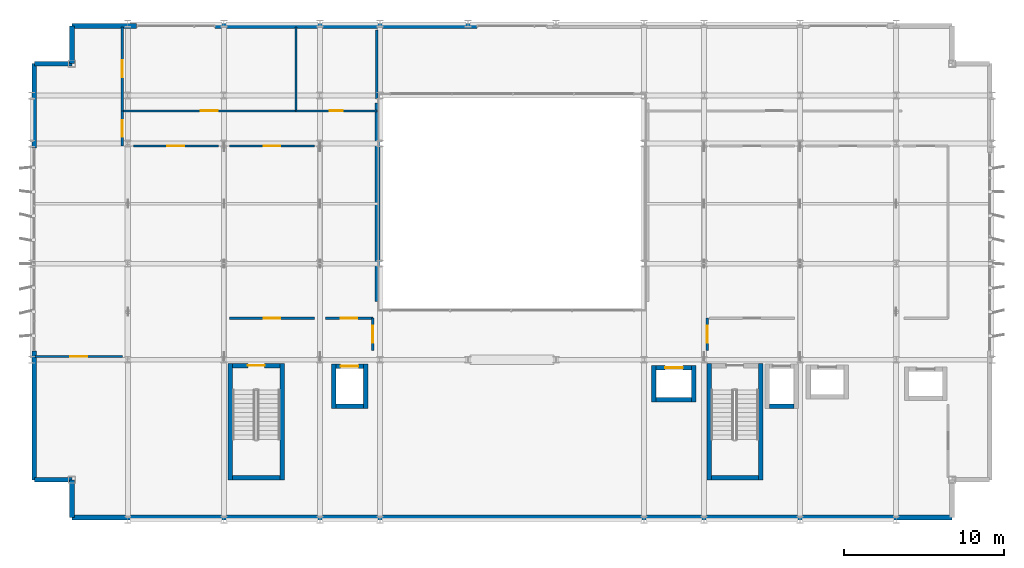
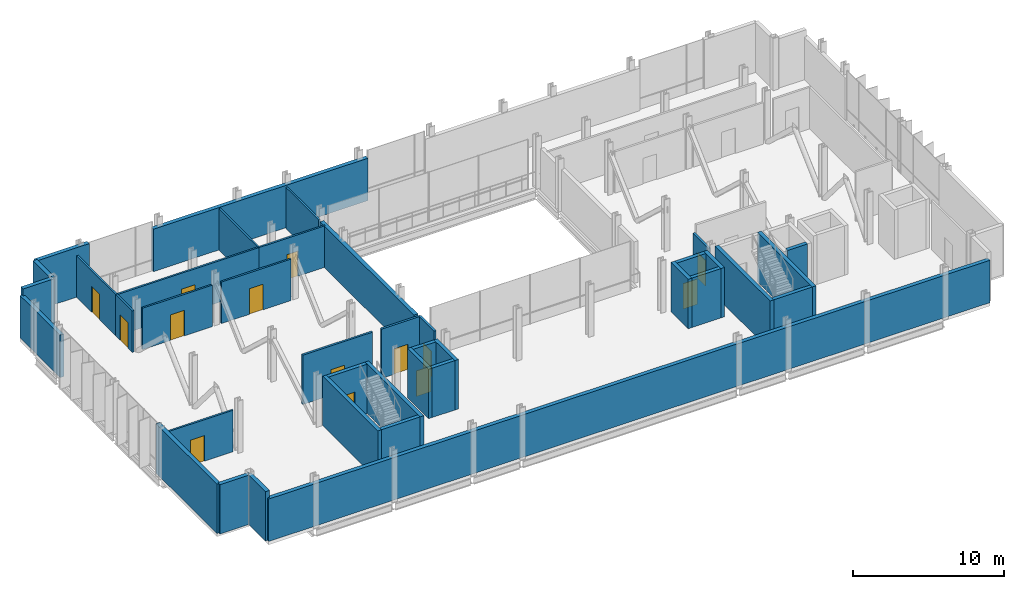
# One storey, part 26 of 32: 39 walls, 14 doors, 14 openings.
"""IFC4 building model written with IfcOpenShell, lengths in metres."""

import ifcopenshell
import ifcopenshell.guid

model = None  # the IFC model being written
_history = None  # IfcOwnerHistory: only IFC2X3 demands one
_inside = {}  # id of a spatial element -> (the spatial element, [elements in it])
_under = {}  # id of a project, library or spatial element -> (it, [spatial elements below it])
_declared = {}  # id of a project -> (the project, [libraries it declares])
_typed = {}  # id of a type object -> (the type object, [elements of that type])
_made_of = {}  # id of a material, layer set ... -> (it, [elements and type objects made of it])


def new_model(schema):
    """Start an empty IFC model of exactly this schema.

    Asked for "IFC4X3", IfcOpenShell would pick the latest addendum, in which some entities
    have other attributes; the version numbers below select the first issue.
    IFC2X3 requires an IfcOwnerHistory on every rooted entity: one is made here for all.
    """
    global model, _history
    if schema == "IFC4X3":
        model = ifcopenshell.file(schema_version=(4, 3, 0, 0))
    else:
        model = ifcopenshell.file(schema=schema)
    _inside.clear()
    _under.clear()
    _declared.clear()
    _typed.clear()
    _made_of.clear()
    _history = None
    if model.schema == "IFC2X3":
        org = make("IfcOrganization", Name="unknown")
        user = make(
            "IfcPersonAndOrganization",
            ThePerson=make("IfcPerson", FamilyName="unknown"),
            TheOrganization=org,
        )
        app = make(
            "IfcApplication",
            ApplicationDeveloper=org,
            Version="unknown",
            ApplicationFullName="unknown",
            ApplicationIdentifier="unknown",
        )
        _history = make(
            "IfcOwnerHistory",
            OwningUser=user,
            OwningApplication=app,
            ChangeAction="ADDED",
            CreationDate=0,
        )
    return model


def make(cls, **values):
    """One entity of the class cls with the attributes given. An attribute that is None is left unset."""
    return model.create_entity(
        cls, **{name: value for name, value in values.items() if value is not None}
    )


def rooted(cls, **values):
    """An entity with a GlobalId (a new one), such as an element, a storey or a relation."""
    return make(cls, GlobalId=ifcopenshell.guid.new(), OwnerHistory=_history, **values)


def si_unit(unit_type, name, prefix=None):
    """IfcSIUnit, for example si_unit("LENGTHUNIT", "METRE", prefix="MILLI")."""
    return make("IfcSIUnit", UnitType=unit_type, Prefix=prefix, Name=name)


def assignment(units):
    """IfcUnitAssignment: the units of a project."""
    return None if units is None else make("IfcUnitAssignment", Units=units)


def point(xyz):
    """IfcCartesianPoint."""
    return None if xyz is None else make("IfcCartesianPoint", Coordinates=xyz)


def direction(xyz):
    """IfcDirection."""
    return None if xyz is None else make("IfcDirection", DirectionRatios=xyz)


def frame(location, z_axis=None, x_axis=None):
    """IfcAxis2Placement3D, a coordinate frame: its origin and axes. An axis left out is left unset."""
    return make(
        "IfcAxis2Placement3D",
        Location=point(location),
        Axis=direction(z_axis),
        RefDirection=direction(x_axis),
    )


def frame_2d(location, x_axis=None):
    """IfcAxis2Placement2D, a coordinate frame in the plane: its origin and x axis."""
    return make(
        "IfcAxis2Placement2D", Location=point(location), RefDirection=direction(x_axis)
    )


def origin():
    """The frame at (0, 0, 0) with its axes left unset."""
    return frame((0.0, 0.0, 0.0))


def place(relative_to, where):
    """IfcLocalPlacement: puts the frame where relative to a parent placement (None: the world)."""
    return make(
        "IfcLocalPlacement", PlacementRelTo=relative_to, RelativePlacement=where
    )


def context(
    kind, dimensions, precision=None, world=None, true_north=None, identifier=None
):
    """IfcGeometricRepresentationContext, for example the 3D "Model" context."""
    return make(
        "IfcGeometricRepresentationContext",
        ContextIdentifier=identifier,
        ContextType=kind,
        CoordinateSpaceDimension=dimensions,
        Precision=precision,
        WorldCoordinateSystem=world,
        TrueNorth=true_north,
    )


def subcontext(parent, identifier, kind, view, scale=None):
    """IfcGeometricRepresentationSubContext, for example "Body" below "Model"."""
    return make(
        "IfcGeometricRepresentationSubContext",
        ContextIdentifier=identifier,
        ContextType=kind,
        ParentContext=parent,
        TargetScale=scale,
        TargetView=view,
    )


def project(units=None, contexts=None):
    """IfcProject with its units and contexts."""
    return rooted(
        "IfcProject",
        Name="project",
        RepresentationContexts=contexts,
        UnitsInContext=assignment(units),
    )


def spatial(cls, under=None, at=None, **own):
    """A site, building, storey or space (cls), placed at a placement, below another one or the project."""
    s = rooted(cls, ObjectPlacement=at, **own)
    if under is not None:
        _under.setdefault(under.id(), (under, []))[1].append(s)
    return s


def profile(cls, at=None, kind="AREA", **sizes):
    """A parametric profile (cls). Its sizes go by their IFC names, for example OverallWidth=200.0."""
    return make(cls, ProfileType=kind, Position=at, **sizes)


def rectangle(**sizes):
    """IfcRectangleProfileDef."""
    return profile("IfcRectangleProfileDef", **sizes)


def extrude(swept, where, along, depth):
    """IfcExtrudedAreaSolid: the profile swept, set in the frame where, extruded along a direction by depth."""
    return make(
        "IfcExtrudedAreaSolid",
        SweptArea=swept,
        Position=where,
        ExtrudedDirection=direction(along),
        Depth=depth,
    )


def shape(context_of_items, identifier, shape_type, items):
    """IfcShapeRepresentation: the items that make up one representation, for example the "Body"."""
    return make(
        "IfcShapeRepresentation",
        ContextOfItems=context_of_items,
        RepresentationIdentifier=identifier,
        RepresentationType=shape_type,
        Items=items,
    )


def material(Name=None, Category=None):
    """IfcMaterial."""
    return make("IfcMaterial", Name=Name, Category=Category)


def layer(
    of_material, thickness, ventilated=None, Name=None, Category=None, Priority=None
):
    """IfcMaterialLayer: one layer of a wall or slab, of a material (None: an air gap)."""
    return make(
        "IfcMaterialLayer",
        Material=of_material,
        LayerThickness=thickness,
        IsVentilated=ventilated,
        Name=Name,
        Category=Category,
        Priority=Priority,
    )


def layer_set(layers, Name=None):
    """IfcMaterialLayerSet."""
    return make("IfcMaterialLayerSet", MaterialLayers=layers, LayerSetName=Name)


def made_of(thing, what):
    """Note that an element or type object is made of a material, layer set ...; save() writes the relation."""
    if what is not None:
        _made_of.setdefault(what.id(), (what, []))[1].append(thing)
    return thing


def type_object(cls, material=None, **own):
    """A type object (cls), such as IfcWallType, which elements share."""
    return made_of(rooted(cls, **own), material)


def element(
    cls,
    number,
    at=None,
    inside=None,
    cuts=None,
    type_object=None,
    material=None,
    context=None,
    identifier="Body",
    shape_type=None,
    held_by="IfcProductDefinitionShape",
    body=None,
    shapes=None,
    **own,
):
    """One element of the class cls, such as IfcWall. Its Tag is "e" and its number.

    at: its placement. inside: the storey or other place that contains it. cuts: it is an
    opening in that element (IfcRelVoidsElement). A single representation is given by context,
    identifier, shape_type and body (its items); several are given by shapes. held_by: the class
    of the entity that holds the representations. save() writes the other relations.
    """
    e = rooted(cls, Tag="e%d" % number, ObjectPlacement=at, **own)
    if body is not None:
        shapes = [shape(context, identifier, shape_type, body)]
    if shapes is not None:
        e.Representation = make(held_by, Representations=shapes)
    if inside is not None:
        _inside.setdefault(inside.id(), (inside, []))[1].append(e)
    if cuts is not None:
        rooted(
            "IfcRelVoidsElement", RelatingBuildingElement=cuts, RelatedOpeningElement=e
        )
    if type_object is not None:
        _typed.setdefault(type_object.id(), (type_object, []))[1].append(e)
    return made_of(e, material)


def fill(opening, filler):
    """IfcRelFillsElement: the door or window that sits in an opening."""
    return rooted(
        "IfcRelFillsElement",
        RelatingOpeningElement=opening,
        RelatedBuildingElement=filler,
    )


def aggregate(whole, parts):
    """IfcRelAggregates: a whole, such as a stair, and the parts it consists of."""
    return rooted("IfcRelAggregates", RelatingObject=whole, RelatedObjects=parts)


def save(model, path):
    """Write the relations noted so far, then the file.

    IfcRelAggregates (storeys below a building ...), IfcRelContainedInSpatialStructure (elements
    in a storey), IfcRelDefinesByType, IfcRelAssociatesMaterial and IfcRelDeclares: one each for
    every whole, place, type object, material and project.
    """
    for whole, parts in _under.values():
        aggregate(whole, parts)
    for where, things in _inside.values():
        rooted(
            "IfcRelContainedInSpatialStructure",
            RelatedElements=things,
            RelatingStructure=where,
        )
    for kind, things in _typed.values():
        rooted("IfcRelDefinesByType", RelatedObjects=things, RelatingType=kind)
    for what, things in _made_of.values():
        rooted("IfcRelAssociatesMaterial", RelatedObjects=things, RelatingMaterial=what)
    for by, libraries in _declared.values():
        rooted("IfcRelDeclares", RelatingContext=by, RelatedDefinitions=libraries)
    model.write(path)


model = new_model("IFC4")

# Units and contexts
model_context = context("Model", 3, precision=1e-05, world=origin(), true_north=direction((0.0, 1.0)))
body_context = subcontext(model_context, "Body", "Model", "MODEL_VIEW")
ifc_project = project(units=[si_unit("LENGTHUNIT", "METRE"), si_unit("AREAUNIT", "SQUARE_METRE"), si_unit("VOLUMEUNIT", "CUBIC_METRE"), si_unit("PLANEANGLEUNIT", "RADIAN"), si_unit("MASSUNIT", "GRAM", prefix="KILO")], contexts=[model_context])

# Site, building, storey
site_placement = place(None, origin())
site = spatial("IfcSite", under=ifc_project, at=site_placement, CompositionType="ELEMENT")
building_placement = place(site_placement, origin())
building = spatial("IfcBuilding", under=site, at=building_placement, Name="Brevholm Reach", CompositionType="ELEMENT")
storey_placement = place(building_placement, frame((0.0, 0.0, 96.199951171875)))
storey = spatial("IfcBuildingStorey", under=building, at=storey_placement, Name="L28", CompositionType="ELEMENT", Elevation=96.199951171875)

# Walls
ifc_material_1 = material(Name="Concrete C50/60", Category="concrete")
ifc_layer_1 = layer(ifc_material_1, 0.280029296875)
ifc_layer_set_1 = layer_set([ifc_layer_1], Name="Concrete C50/60")
wall_type_1 = type_object("IfcWallType", Name="WAL-COR-280", PredefinedType="SHEAR", material=ifc_layer_set_1)
for number, where, z_axis, x_axis, name in (
    (1, (12.409912109375, 2.5, 0.0), (0.0, 0.0, 1.0), (0.0, 1.0, 0.0), "L28 Escape Stair ST-1 Core Wall W"),
    (2, (15.639892578125, 2.5, 0.0), (0.0, 0.0, 1.0), (0.0, 1.0, 0.0), "L28 Escape Stair ST-1 Core Wall E"),
):
    element("IfcWall", number, at=place(storey_placement, frame(where, z_axis=z_axis, x_axis=x_axis)), inside=storey, type_object=wall_type_1, Name=name, PredefinedType="SHEAR", context=body_context, shape_type="SweptSolid", body=[
        extrude(rectangle(XDim=7.280029296875, YDim=0.280029296875, at=frame_2d((3.64013671875, 0.0))), origin(), (0.0, 0.0, 1.0), 3.97998046875),
    ])
wall_1_placement = place(storey_placement, frame((12.550048828125, 2.639892578125, 0.0), z_axis=(0.0, 0.0, 1.0), x_axis=(1.0, 0.0, 0.0)))
element("IfcWall", 3, at=wall_1_placement, inside=storey, type_object=wall_type_1, Name="L28 Escape Stair ST-1 Core Wall S", PredefinedType="SHEAR", context=body_context, shape_type="SweptSolid", body=[
    extrude(rectangle(XDim=2.949951171875, YDim=0.280029296875, at=frame_2d((1.47509765625, 0.0))), origin(), (0.0, 0.0, 1.0), 3.97998046875),
])

# Wall, opening, door
wall_2_placement = place(storey_placement, frame((15.5, 9.639892578125, 0.0), z_axis=(0.0, 0.0, 1.0), x_axis=(-1.0, 0.0, 0.0)))
wall_2 = element("IfcWall", 4, at=wall_2_placement, inside=storey, type_object=wall_type_1, Name="L28 Escape Stair ST-1 Core Wall N", PredefinedType="SHEAR", context=body_context, shape_type="SweptSolid", body=[
    extrude(rectangle(XDim=2.949951171875, YDim=0.280029296875, at=frame_2d((1.47509765625, 0.0))), origin(), (0.0, 0.0, 1.0), 3.97998046875),
])
opening_1_placement = place(wall_2_placement, frame((0.949951171875, 0.0, 0.0)))
opening_1 = element("IfcOpeningElement", 5, at=opening_1_placement, cuts=wall_2, Name="Opening SD-ST-1", PredefinedType="OPENING", context=body_context, shape_type="SweptSolid", body=[
    extrude(rectangle(XDim=1.050048828125, YDim=2.06005859375, at=frame_2d((0.52490234375, 1.030029296875))), frame((0.0, 0.14990234375, 0.0), z_axis=(0.0, -1.0, 0.0), x_axis=(1.0, 0.0, 0.0)), (0.0, 0.0, 1.0), 0.300048828125),
])
ifc_material_2 = material(Name="Hardwood-Lipped Steel-Core Fire and Smoke Door", Category="steel")
door_type_1 = type_object("IfcDoorType", Name="DOR-INT-FD60S", OperationType="NOTDEFINED", PredefinedType="DOOR", material=ifc_material_2)
door_1_placement = place(opening_1_placement, origin())
door_1 = element("IfcDoor", 6, at=door_1_placement, inside=storey, type_object=door_type_1, Name="L28 Protected Stair ST-1 Lobby Door", OperationType="SINGLE_SWING_RIGHT", OverallHeight=2.06005859375, OverallWidth=1.050048828125, PredefinedType="DOOR", context=body_context, shape_type="SweptSolid", body=[
    extrude(rectangle(XDim=1.050048828125, YDim=2.06005859375, at=frame_2d((0.52490234375, 1.030029296875))), frame((0.0, 0.02490234375, 0.0), z_axis=(0.0, -1.0, 0.0), x_axis=(1.0, 0.0, 0.0)), (0.0, 0.0, 1.0), 0.050048828125),
])
fill(opening_1, door_1)

# Walls
for number, where, z_axis, x_axis, name in (
    (7, (42.31005859375, 2.5, 0.0), (0.0, 0.0, 1.0), (0.0, 1.0, 0.0), "L28 Escape Stair ST-2 Core Wall W"),
    (8, (45.5400390625, 2.5, 0.0), (0.0, 0.0, 1.0), (0.0, 1.0, 0.0), "L28 Escape Stair ST-2 Core Wall E"),
):
    element("IfcWall", number, at=place(storey_placement, frame(where, z_axis=z_axis, x_axis=x_axis)), inside=storey, type_object=wall_type_1, Name=name, PredefinedType="SHEAR", context=body_context, shape_type="SweptSolid", body=[
        extrude(rectangle(XDim=7.280029296875, YDim=0.280029296875, at=frame_2d((3.64013671875, 0.0))), origin(), (0.0, 0.0, 1.0), 3.97998046875),
    ])
wall_3_placement = place(storey_placement, frame((42.449951171875, 2.639892578125, 0.0), z_axis=(0.0, 0.0, 1.0), x_axis=(1.0, 0.0, 0.0)))
element("IfcWall", 9, at=wall_3_placement, inside=storey, type_object=wall_type_1, Name="L28 Escape Stair ST-2 Core Wall S", PredefinedType="SHEAR", context=body_context, shape_type="SweptSolid", body=[
    extrude(rectangle(XDim=2.949951171875, YDim=0.280029296875, at=frame_2d((1.47509765625, 0.0))), origin(), (0.0, 0.0, 1.0), 3.97998046875),
])
for number, where, z_axis, x_axis, name in (
    (10, (18.85009765625, 6.9599609375, 0.0), (0.0, 0.0, 1.0), (0.0, 1.0, 0.0), "L28 Lift FFL-1 Shaft Wall W"),
    (11, (20.85009765625, 6.9599609375, 0.0), (0.0, 0.0, 1.0), (0.0, 1.0, 0.0), "L28 Lift FFL-1 Shaft Wall E"),
):
    element("IfcWall", number, at=place(storey_placement, frame(where, z_axis=z_axis, x_axis=x_axis)), inside=storey, type_object=wall_type_1, Name=name, PredefinedType="SHEAR", context=body_context, shape_type="SweptSolid", body=[
        extrude(rectangle(XDim=2.780029296875, YDim=0.280029296875, at=frame_2d((1.39013671875, 0.0))), origin(), (0.0, 0.0, 1.0), 3.97998046875),
    ])
wall_4_placement = place(storey_placement, frame((18.989990234375, 7.10009765625, 0.0), z_axis=(0.0, 0.0, 1.0), x_axis=(1.0, 0.0, 0.0)))
element("IfcWall", 12, at=wall_4_placement, inside=storey, type_object=wall_type_1, Name="L28 Lift FFL-1 Shaft Wall S", PredefinedType="SHEAR", context=body_context, shape_type="SweptSolid", body=[
    extrude(rectangle(XDim=1.719970703125, YDim=0.280029296875, at=frame_2d((0.85986328125, 0.0))), origin(), (0.0, 0.0, 1.0), 3.97998046875),
])

# Wall, opening, door
wall_5_placement = place(storey_placement, frame((18.989990234375, 9.60009765625, 0.0), z_axis=(0.0, 0.0, 1.0), x_axis=(1.0, 0.0, 0.0)))
wall_5 = element("IfcWall", 13, at=wall_5_placement, inside=storey, type_object=wall_type_1, Name="L28 Lift FFL-1 Shaft Wall N", PredefinedType="SHEAR", context=body_context, shape_type="SweptSolid", body=[
    extrude(rectangle(XDim=1.719970703125, YDim=0.280029296875, at=frame_2d((0.85986328125, 0.0))), origin(), (0.0, 0.0, 1.0), 3.97998046875),
])
opening_2_placement = place(wall_5_placement, frame((0.31005859375, 0.0, 0.0)))
opening_2 = element("IfcOpeningElement", 14, at=opening_2_placement, cuts=wall_5, Name="Opening LD-FFL-1", PredefinedType="OPENING", context=body_context, shape_type="SweptSolid", body=[
    extrude(rectangle(XDim=1.10009765625, YDim=2.06005859375, at=frame_2d((0.550048828125, 1.030029296875))), frame((0.0, 0.14990234375, 0.0), z_axis=(0.0, -1.0, 0.0), x_axis=(1.0, 0.0, 0.0)), (0.0, 0.0, 1.0), 0.300048828125),
])
ifc_material_3 = material(Name="Brushed Stainless Steel Fire-Rated Sliding Lift Door", Category="steel")
door_type_2 = type_object("IfcDoorType", Name="DOR-LFT-1100", OperationType="NOTDEFINED", PredefinedType="DOOR", material=ifc_material_3)
door_2_placement = place(opening_2_placement, origin())
door_2 = element("IfcDoor", 15, at=door_2_placement, inside=storey, type_object=door_type_2, Name="L28 Lift FFL-1 Sliding Landing Door", OperationType="SLIDING_TO_RIGHT", OverallHeight=2.06005859375, OverallWidth=1.10009765625, PredefinedType="DOOR", context=body_context, shape_type="SweptSolid", body=[
    extrude(rectangle(XDim=1.10009765625, YDim=2.06005859375, at=frame_2d((0.550048828125, 1.030029296875))), frame((0.0, 0.02490234375, 0.0), z_axis=(0.0, -1.0, 0.0), x_axis=(1.0, 0.0, 0.0)), (0.0, 0.0, 1.0), 0.050048828125),
])
fill(opening_2, door_2)

# Walls
wall_6_placement = place(storey_placement, frame((46.090087890625, 7.10009765625, 0.0), z_axis=(0.0, 0.0, 1.0), x_axis=(1.0, 0.0, 0.0)))
element("IfcWall", 16, at=wall_6_placement, inside=storey, type_object=wall_type_1, Name="L28 Lift FFL-2 Shaft Wall S", PredefinedType="SHEAR", context=body_context, shape_type="SweptSolid", body=[
    extrude(rectangle(XDim=1.52001953125, YDim=0.280029296875, at=frame_2d((0.760009765625, 0.0))), origin(), (0.0, 0.0, 1.0), 3.97998046875),
])
for number, where, z_axis, x_axis, name in (
    (17, (38.8701171875, 7.360107421875, 0.0), (0.0, 0.0, 1.0), (0.0, 1.0, 0.0), "L28 Lift PL-S1 Shaft Wall W"),
    (18, (41.3701171875, 7.360107421875, 0.0), (0.0, 0.0, 1.0), (0.0, 1.0, 0.0), "L28 Lift PL-S1 Shaft Wall E"),
):
    element("IfcWall", number, at=place(storey_placement, frame(where, z_axis=z_axis, x_axis=x_axis)), inside=storey, type_object=wall_type_1, Name=name, PredefinedType="SHEAR", context=body_context, shape_type="SweptSolid", body=[
        extrude(rectangle(XDim=2.27978515625, YDim=0.280029296875, at=frame_2d((1.139892578125, 0.0))), origin(), (0.0, 0.0, 1.0), 3.97998046875),
    ])
wall_7_placement = place(storey_placement, frame((39.010009765625, 7.5, 0.0), z_axis=(0.0, 0.0, 1.0), x_axis=(1.0, 0.0, 0.0)))
element("IfcWall", 19, at=wall_7_placement, inside=storey, type_object=wall_type_1, Name="L28 Lift PL-S1 Shaft Wall S", PredefinedType="SHEAR", context=body_context, shape_type="SweptSolid", body=[
    extrude(rectangle(XDim=2.219970703125, YDim=0.280029296875, at=frame_2d((1.10986328125, 0.0))), origin(), (0.0, 0.0, 1.0), 3.97998046875),
])

# Wall, opening, door
wall_8_placement = place(storey_placement, frame((39.010009765625, 9.5, 0.0), z_axis=(0.0, 0.0, 1.0), x_axis=(1.0, 0.0, 0.0)))
wall_8 = element("IfcWall", 20, at=wall_8_placement, inside=storey, type_object=wall_type_1, Name="L28 Lift PL-S1 Shaft Wall N", PredefinedType="SHEAR", context=body_context, shape_type="SweptSolid", body=[
    extrude(rectangle(XDim=2.219970703125, YDim=0.280029296875, at=frame_2d((1.10986328125, 0.0))), origin(), (0.0, 0.0, 1.0), 3.97998046875),
])
opening_3_placement = place(wall_8_placement, frame((0.56005859375, 0.0, 0.0)))
opening_3 = element("IfcOpeningElement", 21, at=opening_3_placement, cuts=wall_8, Name="Opening LD-PL-S1", PredefinedType="OPENING", context=body_context, shape_type="SweptSolid", body=[
    extrude(rectangle(XDim=1.10009765625, YDim=2.06005859375, at=frame_2d((0.550048828125, 1.030029296875))), frame((0.0, 0.14990234375, 0.0), z_axis=(0.0, -1.0, 0.0), x_axis=(1.0, 0.0, 0.0)), (0.0, 0.0, 1.0), 0.300048828125),
])
door_3_placement = place(opening_3_placement, origin())
door_3 = element("IfcDoor", 22, at=door_3_placement, inside=storey, type_object=door_type_2, Name="L28 Lift PL-S1 Sliding Landing Door", OperationType="SLIDING_TO_RIGHT", OverallHeight=2.06005859375, OverallWidth=1.10009765625, PredefinedType="DOOR", context=body_context, shape_type="SweptSolid", body=[
    extrude(rectangle(XDim=1.10009765625, YDim=2.06005859375, at=frame_2d((0.550048828125, 1.030029296875))), frame((0.0, 0.02490234375, 0.0), z_axis=(0.0, -1.0, 0.0), x_axis=(1.0, 0.0, 0.0)), (0.0, 0.0, 1.0), 0.050048828125),
])
fill(opening_3, door_3)

# Walls
ifc_material_4 = material(Name="Concrete C40/50", Category="concrete")
ifc_layer_2 = layer(ifc_material_4, 0.300048828125)
ifc_layer_set_2 = layer_set([ifc_layer_2], Name="Concrete C40/50")
wall_type_2 = type_object("IfcWallType", Name="WAL-EXT-300", PredefinedType="STANDARD", material=ifc_layer_set_2)
for number, where, z_axis, x_axis, name in (
    (23, (2.5, 2.5, 0.0), (0.0, 0.0, 1.0), (0.0, -1.0, 0.0), "L28 Facade Wall WAL-L28-CSW1"),
    (24, (0.14990234375, 2.5, 0.0), (0.0, 0.0, 1.0), (1.0, 0.0, 0.0), "L28 Facade Wall WAL-L28-CSW2"),
    (25, (2.5, 30.85009765625, 0.0), (0.0, 0.0, 1.0), (0.0, -1.0, 0.0), "L28 Facade Wall WAL-L28-CNW1"),
    (26, (2.5, 28.5, 0.0), (0.0, 0.0, 1.0), (-1.0, 0.0, 0.0), "L28 Facade Wall WAL-L28-CNW2"),
):
    element("IfcWall", number, at=place(storey_placement, frame(where, z_axis=z_axis, x_axis=x_axis)), inside=storey, type_object=wall_type_2, Name=name, PredefinedType="STANDARD", context=body_context, shape_type="SweptSolid", body=[
        extrude(rectangle(XDim=2.35009765625, YDim=0.300048828125, at=frame_2d((1.175048828125, 0.0))), origin(), (0.0, 0.0, 1.0), 3.97998046875),
    ])
wall_9_placement = place(storey_placement, frame((2.5, 0.14990234375, 0.0), z_axis=(0.0, 0.0, 1.0), x_axis=(1.0, 0.0, 0.0)))
element("IfcWall", 27, at=wall_9_placement, inside=storey, type_object=wall_type_2, Name="L28 Facade Wall WAL-L28-S", PredefinedType="STANDARD", context=body_context, shape_type="SweptSolid", body=[
    extrude(rectangle(XDim=55.0, YDim=0.300048828125, at=frame_2d((27.5, 0.0))), origin(), (0.0, 0.0, 1.0), 3.421875),
])
wall_10_placement = place(storey_placement, frame((0.14990234375, 10.550048828125, 0.0), z_axis=(0.0, 0.0, 1.0), x_axis=(0.0, -1.0, 0.0)))
element("IfcWall", 28, at=wall_10_placement, inside=storey, type_object=wall_type_2, Name="L28 Facade Wall WAL-L28-W-S", PredefinedType="STANDARD", context=body_context, shape_type="SweptSolid", body=[
    extrude(rectangle(XDim=8.050048828125, YDim=0.300048828125, at=frame_2d((4.02490234375, 0.0))), origin(), (0.0, 0.0, 1.0), 3.97998046875),
])
wall_11_placement = place(storey_placement, frame((0.14990234375, 28.5, 0.0), z_axis=(0.0, 0.0, 1.0), x_axis=(0.0, -1.0, 0.0)))
element("IfcWall", 29, at=wall_11_placement, inside=storey, type_object=wall_type_2, Name="L28 Facade Wall WAL-L28-W-N", PredefinedType="STANDARD", context=body_context, shape_type="SweptSolid", body=[
    extrude(rectangle(XDim=5.280029296875, YDim=0.300048828125, at=frame_2d((2.64013671875, 0.0))), origin(), (0.0, 0.0, 1.0), 3.421875),
])
wall_12_placement = place(storey_placement, frame((2.5, 30.85009765625, 0.0), z_axis=(0.0, 0.0, 1.0), x_axis=(1.0, 0.0, 0.0)))
element("IfcWall", 30, at=wall_12_placement, inside=storey, type_object=wall_type_2, Name="L28 Facade Wall WAL-L28-NP-W0", PredefinedType="STANDARD", context=body_context, shape_type="SweptSolid", body=[
    extrude(rectangle(XDim=4.050048828125, YDim=0.300048828125, at=frame_2d((2.02490234375, 0.0))), origin(), (0.0, 0.0, 1.0), 3.97998046875),
])
wall_13_placement = place(storey_placement, frame((11.449951171875, 30.85009765625, 0.0), z_axis=(0.0, 0.0, 1.0), x_axis=(1.0, 0.0, 0.0)))
element("IfcWall", 31, at=wall_13_placement, inside=storey, type_object=wall_type_2, Name="L28 Facade Wall WAL-L28-NP-WL", PredefinedType="STANDARD", context=body_context, shape_type="SweptSolid", body=[
    extrude(rectangle(XDim=16.35009765625, YDim=0.300048828125, at=frame_2d((8.175048828125, 0.0))), origin(), (0.0, 0.0, 1.0), 3.421875),
])
wall_14_placement = place(storey_placement, frame((21.60009765625, 26.050048828125, 0.0), z_axis=(0.0, 0.0, 1.0), x_axis=(0.0, -1.0, 0.0)))
element("IfcWall", 32, at=wall_14_placement, inside=storey, type_object=wall_type_2, Name="L28 Facade Wall WAL-L28-AT-W", PredefinedType="STANDARD", context=body_context, shape_type="SweptSolid", body=[
    extrude(rectangle(XDim=12.400146484375, YDim=0.300048828125, at=frame_2d((6.2001953125, 0.0))), origin(), (0.0, 0.0, 1.0), 3.3427734375),
])

# Wall, opening, door
ifc_material_5 = material(Name="Twin-Stud Acoustic Fire-Rated Gypsum Partition 140 mm", Category="gypsum")
ifc_layer_3 = layer(ifc_material_5, 0.139892578125)
ifc_layer_set_3 = layer_set([ifc_layer_3], Name="Twin-Stud Acoustic Fire-Rated Gypsum Partition 140 mm")
wall_type_3 = type_object("IfcWallType", Name="WAL-PRT-140", PredefinedType="PARTITIONING", material=ifc_layer_set_3)
wall_15_placement = place(storey_placement, frame((5.64990234375, 25.550048828125, 0.0), z_axis=(0.0, 0.0, 1.0), x_axis=(1.0, 0.0, 0.0)))
wall_15 = element("IfcWall", 33, at=wall_15_placement, inside=storey, type_object=wall_type_3, Name="L28 Internal Partition 006", PredefinedType="PARTITIONING", context=body_context, shape_type="SweptSolid", body=[
    extrude(rectangle(XDim=10.861328125, YDim=0.139892578125, at=frame_2d((5.4306640625, 0.0))), origin(), (0.0, 0.0, 1.0), 3.3427734375),
])
opening_4_placement = place(wall_15_placement, frame((4.905517578125, 0.0, 0.0)))
opening_4 = element("IfcOpeningElement", 34, at=opening_4_placement, cuts=wall_15, Name="Opening FD-01", PredefinedType="OPENING", context=body_context, shape_type="SweptSolid", body=[
    extrude(rectangle(XDim=1.050048828125, YDim=2.06005859375, at=frame_2d((0.52490234375, 1.030029296875))), frame((0.0, 0.079833984375, 0.0), z_axis=(0.0, -1.0, 0.0), x_axis=(1.0, 0.0, 0.0)), (0.0, 0.0, 1.0), 0.159912109375),
])
door_4_placement = place(opening_4_placement, origin())
door_4 = element("IfcDoor", 35, at=door_4_placement, inside=storey, type_object=door_type_1, Name="L28 Internal Door 006", OperationType="SINGLE_SWING_RIGHT", OverallHeight=2.06005859375, OverallWidth=1.050048828125, PredefinedType="DOOR", context=body_context, shape_type="SweptSolid", body=[
    extrude(rectangle(XDim=1.050048828125, YDim=2.06005859375, at=frame_2d((0.52490234375, 1.030029296875))), frame((0.0, 0.02490234375, 0.0), z_axis=(0.0, -1.0, 0.0), x_axis=(1.0, 0.0, 0.0)), (0.0, 0.0, 1.0), 0.050048828125),
])
fill(opening_4, door_4)

wall_16_placement = place(storey_placement, frame((16.49267578125, 25.550048828125, 0.0), z_axis=(0.0, 0.0, 1.0), x_axis=(1.0, 0.0, 0.0)))
wall_16 = element("IfcWall", 36, at=wall_16_placement, inside=storey, type_object=wall_type_3, Name="L28 Internal Partition 007", PredefinedType="PARTITIONING", context=body_context, shape_type="SweptSolid", body=[
    extrude(rectangle(XDim=5.057373046875, YDim=0.139892578125, at=frame_2d((2.52880859375, 0.0))), origin(), (0.0, 0.0, 1.0), 3.3427734375),
])
opening_5_placement = place(wall_16_placement, frame((2.11865234375, 0.0, 0.0)))
opening_5 = element("IfcOpeningElement", 37, at=opening_5_placement, cuts=wall_16, Name="Opening ID-02", PredefinedType="OPENING", context=body_context, shape_type="SweptSolid", body=[
    extrude(rectangle(XDim=0.820068359375, YDim=2.02001953125, at=frame_2d((0.41015625, 1.010009765625))), frame((0.0, 0.079833984375, 0.0), z_axis=(0.0, -1.0, 0.0), x_axis=(1.0, 0.0, 0.0)), (0.0, 0.0, 1.0), 0.159912109375),
])
ifc_material_6 = material(Name="Moisture-Resistant Painted Timber Fire-Rated Riser and Service Door", Category="wood")
door_type_3 = type_object("IfcDoorType", Name="DOR-SRV-820", OperationType="NOTDEFINED", PredefinedType="DOOR", material=ifc_material_6)
door_5_placement = place(opening_5_placement, origin())
door_5 = element("IfcDoor", 38, at=door_5_placement, inside=storey, type_object=door_type_3, Name="L28 Internal Door 007", OperationType="SINGLE_SWING_LEFT", OverallHeight=2.02001953125, OverallWidth=0.820068359375, PredefinedType="DOOR", context=body_context, shape_type="SweptSolid", body=[
    extrude(rectangle(XDim=0.820068359375, YDim=2.02001953125, at=frame_2d((0.41015625, 1.010009765625))), frame((0.0, 0.02490234375, 0.0), z_axis=(0.0, -1.0, 0.0), x_axis=(1.0, 0.0, 0.0)), (0.0, 0.0, 1.0), 0.050048828125),
])
fill(opening_5, door_5)

wall_17_placement = place(storey_placement, frame((5.64990234375, 23.35009765625, 0.0), z_axis=(0.0, 0.0, 1.0), x_axis=(0.0, 1.0, 0.0)))
wall_17 = element("IfcWall", 39, at=wall_17_placement, inside=storey, type_object=wall_type_3, Name="L28 Internal Partition 008", PredefinedType="PARTITIONING", context=body_context, shape_type="SweptSolid", body=[
    extrude(rectangle(XDim=2.199951171875, YDim=0.139892578125, at=frame_2d((1.10009765625, 0.0))), origin(), (0.0, 0.0, 1.0), 3.3427734375),
])
opening_6_placement = place(wall_17_placement, frame((0.574951171875, 0.0, 0.0)))
opening_6 = element("IfcOpeningElement", 40, at=opening_6_placement, cuts=wall_17, Name="Opening FD-01", PredefinedType="OPENING", context=body_context, shape_type="SweptSolid", body=[
    extrude(rectangle(XDim=1.050048828125, YDim=2.06005859375, at=frame_2d((0.52490234375, 1.030029296875))), frame((0.0, 0.079833984375, 0.0), z_axis=(0.0, -1.0, 0.0), x_axis=(1.0, 0.0, 0.0)), (0.0, 0.0, 1.0), 0.159912109375),
])
door_6_placement = place(opening_6_placement, origin())
door_6 = element("IfcDoor", 41, at=door_6_placement, inside=storey, type_object=door_type_1, Name="L28 Internal Door 008", OperationType="SINGLE_SWING_RIGHT", OverallHeight=2.06005859375, OverallWidth=1.050048828125, PredefinedType="DOOR", context=body_context, shape_type="SweptSolid", body=[
    extrude(rectangle(XDim=1.050048828125, YDim=2.06005859375, at=frame_2d((0.52490234375, 1.030029296875))), frame((0.0, 0.02490234375, 0.0), z_axis=(0.0, -1.0, 0.0), x_axis=(1.0, 0.0, 0.0)), (0.0, 0.0, 1.0), 0.050048828125),
])
fill(opening_6, door_6)

wall_18_placement = place(storey_placement, frame((6.338623046875, 23.35009765625, 0.0), z_axis=(0.0, 0.0, 1.0), x_axis=(1.0, 0.0, 0.0)))
wall_18 = element("IfcWall", 42, at=wall_18_placement, inside=storey, type_object=wall_type_3, Name="L28 Internal Partition 009", PredefinedType="PARTITIONING", context=body_context, shape_type="SweptSolid", body=[
    extrude(rectangle(XDim=5.32275390625, YDim=0.139892578125, at=frame_2d((2.661376953125, 0.0))), origin(), (0.0, 0.0, 1.0), 3.3427734375),
])
opening_7_placement = place(wall_18_placement, frame((2.13623046875, 0.0, 0.0)))
opening_7 = element("IfcOpeningElement", 43, at=opening_7_placement, cuts=wall_18, Name="Opening FD-01", PredefinedType="OPENING", context=body_context, shape_type="SweptSolid", body=[
    extrude(rectangle(XDim=1.050048828125, YDim=2.06005859375, at=frame_2d((0.52490234375, 1.030029296875))), frame((0.0, 0.079833984375, 0.0), z_axis=(0.0, -1.0, 0.0), x_axis=(1.0, 0.0, 0.0)), (0.0, 0.0, 1.0), 0.159912109375),
])
door_7_placement = place(opening_7_placement, origin())
door_7 = element("IfcDoor", 44, at=door_7_placement, inside=storey, type_object=door_type_1, Name="L28 Internal Door 009", OperationType="SINGLE_SWING_LEFT", OverallHeight=2.06005859375, OverallWidth=1.050048828125, PredefinedType="DOOR", context=body_context, shape_type="SweptSolid", body=[
    extrude(rectangle(XDim=1.050048828125, YDim=2.06005859375, at=frame_2d((0.52490234375, 1.030029296875))), frame((0.0, 0.02490234375, 0.0), z_axis=(0.0, -1.0, 0.0), x_axis=(1.0, 0.0, 0.0)), (0.0, 0.0, 1.0), 0.050048828125),
])
fill(opening_7, door_7)

wall_19_placement = place(storey_placement, frame((12.338623046875, 23.35009765625, 0.0), z_axis=(0.0, 0.0, 1.0), x_axis=(1.0, 0.0, 0.0)))
wall_19 = element("IfcWall", 45, at=wall_19_placement, inside=storey, type_object=wall_type_3, Name="L28 Internal Partition 010", PredefinedType="PARTITIONING", context=body_context, shape_type="SweptSolid", body=[
    extrude(rectangle(XDim=5.32275390625, YDim=0.139892578125, at=frame_2d((2.661376953125, 0.0))), origin(), (0.0, 0.0, 1.0), 3.3427734375),
])
opening_8_placement = place(wall_19_placement, frame((2.13623046875, 0.0, 0.0)))
opening_8 = element("IfcOpeningElement", 46, at=opening_8_placement, cuts=wall_19, Name="Opening FD-01", PredefinedType="OPENING", context=body_context, shape_type="SweptSolid", body=[
    extrude(rectangle(XDim=1.050048828125, YDim=2.06005859375, at=frame_2d((0.52490234375, 1.030029296875))), frame((0.0, 0.079833984375, 0.0), z_axis=(0.0, -1.0, 0.0), x_axis=(1.0, 0.0, 0.0)), (0.0, 0.0, 1.0), 0.159912109375),
])
door_8_placement = place(opening_8_placement, origin())
door_8 = element("IfcDoor", 47, at=door_8_placement, inside=storey, type_object=door_type_1, Name="L28 Internal Door 010", OperationType="SINGLE_SWING_RIGHT", OverallHeight=2.06005859375, OverallWidth=1.050048828125, PredefinedType="DOOR", context=body_context, shape_type="SweptSolid", body=[
    extrude(rectangle(XDim=1.050048828125, YDim=2.06005859375, at=frame_2d((0.52490234375, 1.030029296875))), frame((0.0, 0.02490234375, 0.0), z_axis=(0.0, -1.0, 0.0), x_axis=(1.0, 0.0, 0.0)), (0.0, 0.0, 1.0), 0.050048828125),
])
fill(opening_8, door_8)

# Wall
wall_20_placement = place(storey_placement, frame((16.5, 25.553955078125, 0.0), z_axis=(0.0, 0.0, 1.0), x_axis=(0.0, 1.0, 0.0)))
element("IfcWall", 48, at=wall_20_placement, inside=storey, type_object=wall_type_3, Name="L28 Internal Partition 018", PredefinedType="PARTITIONING", context=body_context, shape_type="SweptSolid", body=[
    extrude(rectangle(XDim=5.24609375, YDim=0.139892578125, at=frame_2d((2.623046875, 0.0))), origin(), (0.0, 0.0, 1.0), 3.3427734375),
])

# Wall, opening, door
wall_21_placement = place(storey_placement, frame((5.64990234375, 25.553955078125, 0.0), z_axis=(0.0, 0.0, 1.0), x_axis=(0.0, 1.0, 0.0)))
wall_21 = element("IfcWall", 49, at=wall_21_placement, inside=storey, type_object=wall_type_3, Name="L28 Internal Partition 019", PredefinedType="PARTITIONING", context=body_context, shape_type="SweptSolid", body=[
    extrude(rectangle(XDim=5.24609375, YDim=0.139892578125, at=frame_2d((2.623046875, 0.0))), origin(), (0.0, 0.0, 1.0), 3.3427734375),
])
opening_9_placement = place(wall_21_placement, frame((2.097900390625, 0.0, 0.0)))
opening_9 = element("IfcOpeningElement", 50, at=opening_9_placement, cuts=wall_21, Name="Opening FD-01", PredefinedType="OPENING", context=body_context, shape_type="SweptSolid", body=[
    extrude(rectangle(XDim=1.050048828125, YDim=2.06005859375, at=frame_2d((0.52490234375, 1.030029296875))), frame((0.0, 0.079833984375, 0.0), z_axis=(0.0, -1.0, 0.0), x_axis=(1.0, 0.0, 0.0)), (0.0, 0.0, 1.0), 0.159912109375),
])
door_9_placement = place(opening_9_placement, origin())
door_9 = element("IfcDoor", 51, at=door_9_placement, inside=storey, type_object=door_type_1, Name="L28 Internal Door 016", OperationType="SINGLE_SWING_RIGHT", OverallHeight=2.06005859375, OverallWidth=1.050048828125, PredefinedType="DOOR", context=body_context, shape_type="SweptSolid", body=[
    extrude(rectangle(XDim=1.050048828125, YDim=2.06005859375, at=frame_2d((0.52490234375, 1.030029296875))), frame((0.0, 0.02490234375, 0.0), z_axis=(0.0, -1.0, 0.0), x_axis=(1.0, 0.0, 0.0)), (0.0, 0.0, 1.0), 0.050048828125),
])
fill(opening_9, door_9)

wall_22_placement = place(storey_placement, frame((0.199951171875, 10.199951171875, 0.0), z_axis=(0.0, 0.0, 1.0), x_axis=(1.0, 0.0, 0.0)))
wall_22 = element("IfcWall", 52, at=wall_22_placement, inside=storey, type_object=wall_type_3, Name="L28 Internal Partition 020", PredefinedType="PARTITIONING", context=body_context, shape_type="SweptSolid", body=[
    extrude(rectangle(XDim=5.449951171875, YDim=0.139892578125, at=frame_2d((2.72509765625, 0.0))), origin(), (0.0, 0.0, 1.0), 3.3427734375),
])
opening_10_placement = place(wall_22_placement, frame((2.199951171875, 0.0, 0.0)))
opening_10 = element("IfcOpeningElement", 53, at=opening_10_placement, cuts=wall_22, Name="Opening FD-01", PredefinedType="OPENING", context=body_context, shape_type="SweptSolid", body=[
    extrude(rectangle(XDim=1.050048828125, YDim=2.06005859375, at=frame_2d((0.52490234375, 1.030029296875))), frame((0.0, 0.079833984375, 0.0), z_axis=(0.0, -1.0, 0.0), x_axis=(1.0, 0.0, 0.0)), (0.0, 0.0, 1.0), 0.159912109375),
])
door_10_placement = place(opening_10_placement, origin())
door_10 = element("IfcDoor", 54, at=door_10_placement, inside=storey, type_object=door_type_1, Name="L28 Internal Door 017", OperationType="SINGLE_SWING_LEFT", OverallHeight=2.06005859375, OverallWidth=1.050048828125, PredefinedType="DOOR", context=body_context, shape_type="SweptSolid", body=[
    extrude(rectangle(XDim=1.050048828125, YDim=2.06005859375, at=frame_2d((0.52490234375, 1.030029296875))), frame((0.0, 0.02490234375, 0.0), z_axis=(0.0, -1.0, 0.0), x_axis=(1.0, 0.0, 0.0)), (0.0, 0.0, 1.0), 0.050048828125),
])
fill(opening_10, door_10)

# Wall
wall_23_placement = place(storey_placement, frame((21.550048828125, 26.28466796875, 0.0), z_axis=(0.0, 0.0, 1.0), x_axis=(0.0, 1.0, 0.0)))
element("IfcWall", 55, at=wall_23_placement, inside=storey, type_object=wall_type_3, Name="L28 Internal Partition 021", PredefinedType="PARTITIONING", context=body_context, shape_type="SweptSolid", body=[
    extrude(rectangle(XDim=4.325439453125, YDim=0.139892578125, at=frame_2d((2.16259765625, 0.0))), origin(), (0.0, 0.0, 1.0), 3.3427734375),
])

# Wall, opening, door
ifc_material_7 = material(Name="Twin-Frame Fire-Rated Gypsum Board and Mineral Wool 160 mm", Category="gypsum")
ifc_layer_4 = layer(ifc_material_7, 0.159912109375)
ifc_layer_set_4 = layer_set([ifc_layer_4], Name="Twin-Frame Fire-Rated Gypsum Board and Mineral Wool 160 mm")
wall_type_4 = type_object("IfcWallType", Name="WAL-PRT-160", PredefinedType="PARTITIONING", material=ifc_layer_set_4)
wall_24_placement = place(storey_placement, frame((12.338623046875, 12.60009765625, 0.0), z_axis=(0.0, 0.0, 1.0), x_axis=(1.0, 0.0, 0.0)))
wall_24 = element("IfcWall", 56, at=wall_24_placement, inside=storey, type_object=wall_type_4, Name="L28 Internal Partition 001", PredefinedType="PARTITIONING", context=body_context, shape_type="SweptSolid", body=[
    extrude(rectangle(XDim=5.32275390625, YDim=0.159912109375, at=frame_2d((2.661376953125, 0.0))), origin(), (0.0, 0.0, 1.0), 3.97998046875),
])
opening_11_placement = place(wall_24_placement, frame((2.13623046875, 0.0, 0.0)))
opening_11 = element("IfcOpeningElement", 57, at=opening_11_placement, cuts=wall_24, Name="Opening FD-01", PredefinedType="OPENING", context=body_context, shape_type="SweptSolid", body=[
    extrude(rectangle(XDim=1.050048828125, YDim=2.06005859375, at=frame_2d((0.52490234375, 1.030029296875))), frame((0.0, 0.08984375, 0.0), z_axis=(0.0, -1.0, 0.0), x_axis=(1.0, 0.0, 0.0)), (0.0, 0.0, 1.0), 0.179931640625),
])
door_11_placement = place(opening_11_placement, origin())
door_11 = element("IfcDoor", 58, at=door_11_placement, inside=storey, type_object=door_type_1, Name="L28 Internal Door 001", OperationType="SINGLE_SWING_LEFT", OverallHeight=2.06005859375, OverallWidth=1.050048828125, PredefinedType="DOOR", context=body_context, shape_type="SweptSolid", body=[
    extrude(rectangle(XDim=1.050048828125, YDim=2.06005859375, at=frame_2d((0.52490234375, 1.030029296875))), frame((0.0, 0.02490234375, 0.0), z_axis=(0.0, -1.0, 0.0), x_axis=(1.0, 0.0, 0.0)), (0.0, 0.0, 1.0), 0.050048828125),
])
fill(opening_11, door_11)

wall_25_placement = place(storey_placement, frame((21.300048828125, 10.588623046875, 0.0), z_axis=(0.0, 0.0, 1.0), x_axis=(0.0, 1.0, 0.0)))
wall_25 = element("IfcWall", 59, at=wall_25_placement, inside=storey, type_object=wall_type_4, Name="L28 Internal Partition 002", PredefinedType="PARTITIONING", context=body_context, shape_type="SweptSolid", body=[
    extrude(rectangle(XDim=2.011474609375, YDim=0.159912109375, at=frame_2d((1.005859375, 0.0))), origin(), (0.0, 0.0, 1.0), 3.97998046875),
])
opening_12_placement = place(wall_25_placement, frame((0.480712890625, 0.0, 0.0)))
opening_12 = element("IfcOpeningElement", 60, at=opening_12_placement, cuts=wall_25, Name="Opening FD-01", PredefinedType="OPENING", context=body_context, shape_type="SweptSolid", body=[
    extrude(rectangle(XDim=1.050048828125, YDim=2.06005859375, at=frame_2d((0.52490234375, 1.030029296875))), frame((0.0, 0.08984375, 0.0), z_axis=(0.0, -1.0, 0.0), x_axis=(1.0, 0.0, 0.0)), (0.0, 0.0, 1.0), 0.179931640625),
])
door_12_placement = place(opening_12_placement, origin())
door_12 = element("IfcDoor", 61, at=door_12_placement, inside=storey, type_object=door_type_1, Name="L28 Internal Door 002", OperationType="SINGLE_SWING_RIGHT", OverallHeight=2.06005859375, OverallWidth=1.050048828125, PredefinedType="DOOR", context=body_context, shape_type="SweptSolid", body=[
    extrude(rectangle(XDim=1.050048828125, YDim=2.06005859375, at=frame_2d((0.52490234375, 1.030029296875))), frame((0.0, 0.02490234375, 0.0), z_axis=(0.0, -1.0, 0.0), x_axis=(1.0, 0.0, 0.0)), (0.0, 0.0, 1.0), 0.050048828125),
])
fill(opening_12, door_12)

wall_26_placement = place(storey_placement, frame((18.338623046875, 12.60009765625, 0.0), z_axis=(0.0, 0.0, 1.0), x_axis=(1.0, 0.0, 0.0)))
wall_26 = element("IfcWall", 62, at=wall_26_placement, inside=storey, type_object=wall_type_4, Name="L28 Internal Partition 003", PredefinedType="PARTITIONING", context=body_context, shape_type="SweptSolid", body=[
    extrude(rectangle(XDim=2.96142578125, YDim=0.159912109375, at=frame_2d((1.480712890625, 0.0))), origin(), (0.0, 0.0, 1.0), 3.97998046875),
])
opening_13_placement = place(wall_26_placement, frame((0.955810546875, 0.0, 0.0)))
opening_13 = element("IfcOpeningElement", 63, at=opening_13_placement, cuts=wall_26, Name="Opening FD-01", PredefinedType="OPENING", context=body_context, shape_type="SweptSolid", body=[
    extrude(rectangle(XDim=1.050048828125, YDim=2.06005859375, at=frame_2d((0.52490234375, 1.030029296875))), frame((0.0, 0.08984375, 0.0), z_axis=(0.0, -1.0, 0.0), x_axis=(1.0, 0.0, 0.0)), (0.0, 0.0, 1.0), 0.179931640625),
])
door_13_placement = place(opening_13_placement, origin())
door_13 = element("IfcDoor", 64, at=door_13_placement, inside=storey, type_object=door_type_1, Name="L28 Internal Door 003", OperationType="SINGLE_SWING_LEFT", OverallHeight=2.06005859375, OverallWidth=1.050048828125, PredefinedType="DOOR", context=body_context, shape_type="SweptSolid", body=[
    extrude(rectangle(XDim=1.050048828125, YDim=2.06005859375, at=frame_2d((0.52490234375, 1.030029296875))), frame((0.0, 0.02490234375, 0.0), z_axis=(0.0, -1.0, 0.0), x_axis=(1.0, 0.0, 0.0)), (0.0, 0.0, 1.0), 0.050048828125),
])
fill(opening_13, door_13)

wall_27_placement = place(storey_placement, frame((42.199951171875, 10.588623046875, 0.0), z_axis=(0.0, 0.0, 1.0), x_axis=(0.0, 1.0, 0.0)))
wall_27 = element("IfcWall", 65, at=wall_27_placement, inside=storey, type_object=wall_type_4, Name="L28 Internal Partition 005", PredefinedType="PARTITIONING", context=body_context, shape_type="SweptSolid", body=[
    extrude(rectangle(XDim=2.011474609375, YDim=0.159912109375, at=frame_2d((1.005859375, 0.0))), origin(), (0.0, 0.0, 1.0), 3.3427734375),
])
opening_14_placement = place(wall_27_placement, frame((0.480712890625, 0.0, 0.0)))
opening_14 = element("IfcOpeningElement", 66, at=opening_14_placement, cuts=wall_27, Name="Opening FD-01", PredefinedType="OPENING", context=body_context, shape_type="SweptSolid", body=[
    extrude(rectangle(XDim=1.050048828125, YDim=2.06005859375, at=frame_2d((0.52490234375, 1.030029296875))), frame((0.0, 0.08984375, 0.0), z_axis=(0.0, -1.0, 0.0), x_axis=(1.0, 0.0, 0.0)), (0.0, 0.0, 1.0), 0.179931640625),
])
door_14_placement = place(opening_14_placement, origin())
door_14 = element("IfcDoor", 67, at=door_14_placement, inside=storey, type_object=door_type_1, Name="L28 Internal Door 005", OperationType="SINGLE_SWING_LEFT", OverallHeight=2.06005859375, OverallWidth=1.050048828125, PredefinedType="DOOR", context=body_context, shape_type="SweptSolid", body=[
    extrude(rectangle(XDim=1.050048828125, YDim=2.06005859375, at=frame_2d((0.52490234375, 1.030029296875))), frame((0.0, 0.02490234375, 0.0), z_axis=(0.0, -1.0, 0.0), x_axis=(1.0, 0.0, 0.0)), (0.0, 0.0, 1.0), 0.050048828125),
])
fill(opening_14, door_14)

save(model, "model.ifc")
